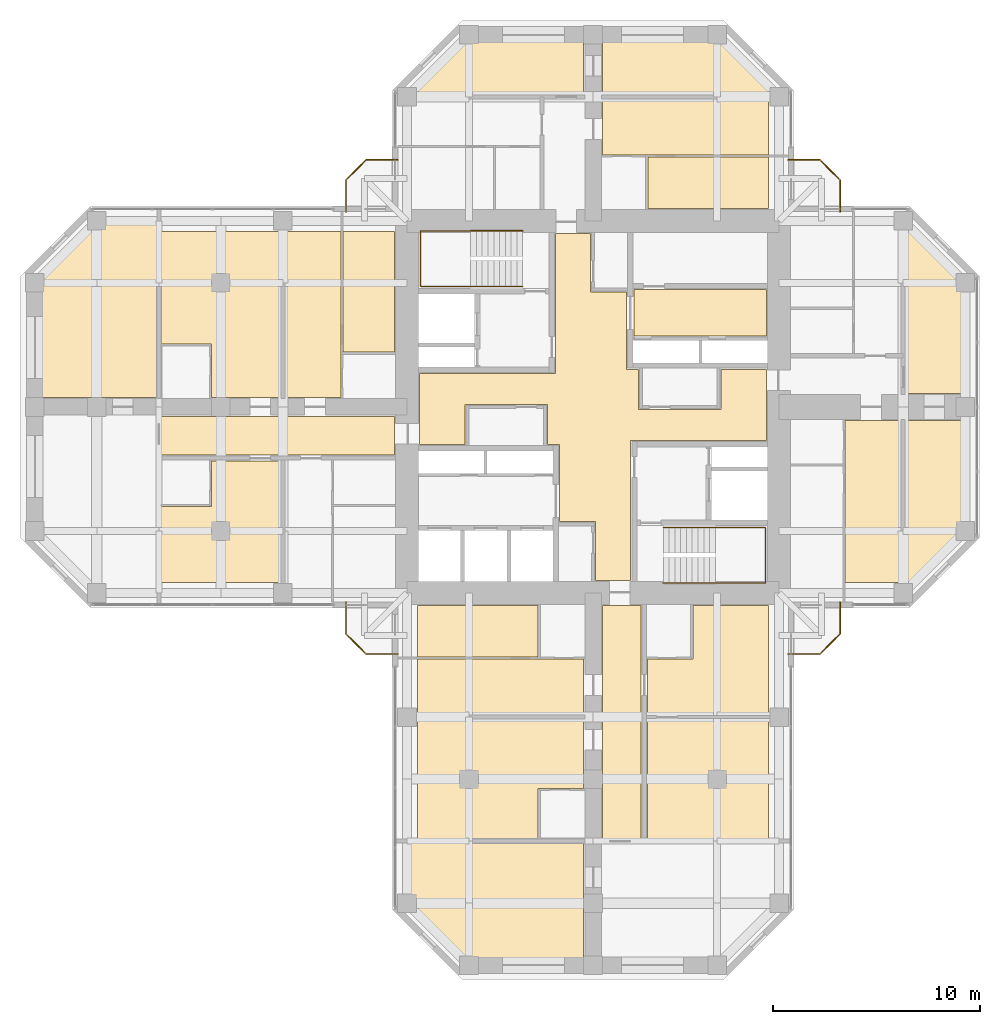
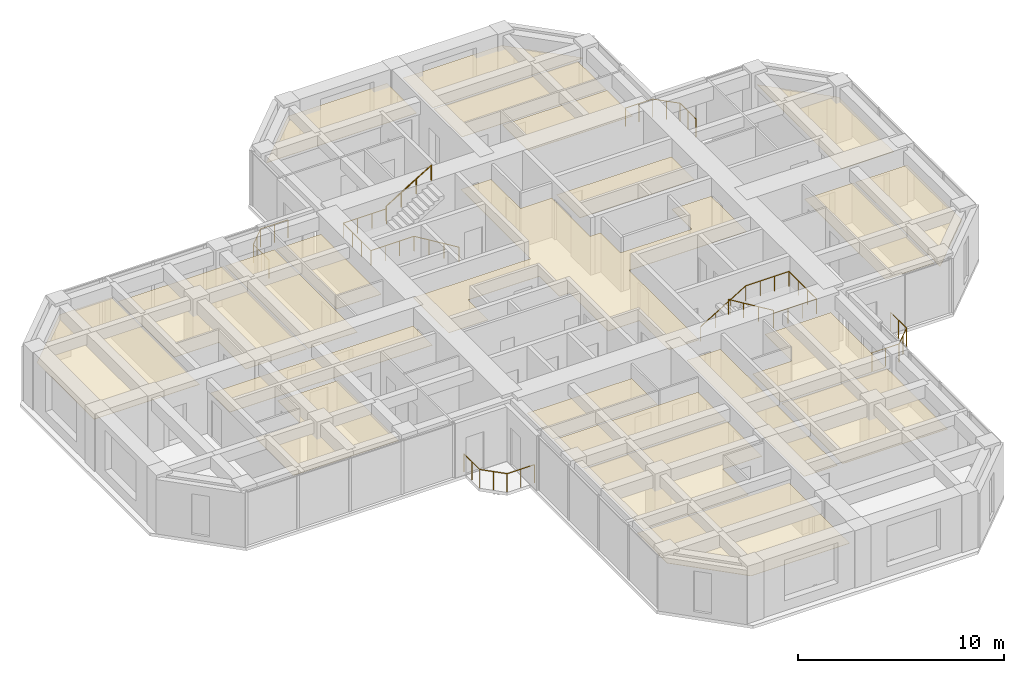
# One storey, part 14 of 14: 22 coverings, 8 railings.
"""IFC4 building model written with IfcOpenShell, lengths in metres."""

from ifc_helpers import new_model, si_unit, direction, frame, origin, origin_2d, place, context, subcontext, project, spatial, polyline, circle, outline, extrude, material, layer, layer_set, constituent, constituent_set, type_object, element, save


model = new_model("IFC4")

# Units and contexts
model_context = context("Model", 3, precision=1e-05, world=origin(), true_north=direction((0.0, 1.0)))
body_context = subcontext(model_context, "Body", "Model", "MODEL_VIEW")
ifc_project = project(units=[si_unit("LENGTHUNIT", "METRE"), si_unit("AREAUNIT", "SQUARE_METRE"), si_unit("VOLUMEUNIT", "CUBIC_METRE"), si_unit("PLANEANGLEUNIT", "RADIAN"), si_unit("MASSUNIT", "GRAM", prefix="KILO")], contexts=[model_context])

# Site, building, storey
site_placement = place(None, origin())
site = spatial("IfcSite", under=ifc_project, at=site_placement, CompositionType="ELEMENT")
building_placement = place(site_placement, origin())
building = spatial("IfcBuilding", under=site, at=building_placement, Name="Torre Cruceta", CompositionType="ELEMENT")
storey_placement = place(building_placement, frame((0.0, 0.0, 183.10009765625)))
storey = spatial("IfcBuildingStorey", under=building, at=storey_placement, Name="L45", CompositionType="ELEMENT", Elevation=183.10009765625)

# Railings
ifc_material_1 = material(Name="Stainless steel 1.4401", Category="steel")
ifc_constituent_1 = constituent(ifc_material_1, Name="Frame")
ifc_material_2 = material(Name="Laminated safety glass", Category="glass")
ifc_constituent_2 = constituent(ifc_material_2, Name="Infill")
ifc_constituent_set = constituent_set(constituents=[ifc_constituent_1, ifc_constituent_2], Name="Stainless steel and laminated glass balustrade")
railing_type_1 = type_object("IfcRailingType", Name="BALCONY BALUSTRADE 1100", PredefinedType="BALUSTRADE", material=ifc_constituent_set)
railing_1_placement = place(storey_placement, frame((-9.449951171875, 11.949951171875, 0.0)))
element("IfcRailing", 1, at=railing_1_placement, inside=storey, type_object=railing_type_1, Name="BL1 balcony balustrade L45 N", PredefinedType="BALUSTRADE", context=body_context, shape_type="SweptSolid", body=[
    extrude(circle(Radius=0.02392578125, at=origin_2d()), frame((0.0, 0.0, 1.076171875), z_axis=(-1.0, 0.0, 0.0), x_axis=(0.0, -1.0, 0.0)), (0.0, 0.0, 1.0), 1.529296875),
    extrude(circle(Radius=0.02392578125, at=origin_2d()), frame((-1.529296875, 0.0, 1.076171875), z_axis=(-0.707106781187, -0.707106781187, 0.0), x_axis=(0.707106781187, -0.707106781187, 0.0)), (0.0, 0.0, 1.0), 1.372802734375),
    extrude(circle(Radius=0.02392578125, at=origin_2d()), frame((-2.5, -0.970703125, 1.076171875), z_axis=(0.0, -1.0, 0.0), x_axis=(1.0, 0.0, 0.0)), (0.0, 0.0, 1.0), 1.529296875),
    extrude(circle(Radius=0.02099609375, at=origin_2d()), origin(), (0.0, 0.0, 1.0), 1.052001953125),
    extrude(circle(Radius=0.02099609375, at=origin_2d()), frame((-0.7646484375, 0.0, 0.0)), (0.0, 0.0, 1.0), 1.052001953125),
    extrude(circle(Radius=0.02099609375, at=origin_2d()), frame((-1.529296875, 0.0, 0.0)), (0.0, 0.0, 1.0), 1.052001953125),
    extrude(circle(Radius=0.02099609375, at=origin_2d()), frame((-2.0146484375, -0.4853515625, 0.0)), (0.0, 0.0, 1.0), 1.052001953125),
    extrude(circle(Radius=0.02099609375, at=origin_2d()), frame((-2.5, -0.970703125, 0.0)), (0.0, 0.0, 1.0), 1.052001953125),
    extrude(circle(Radius=0.02099609375, at=origin_2d()), frame((-2.5, -1.7353515625, 0.0)), (0.0, 0.0, 1.0), 1.052001953125),
    extrude(circle(Radius=0.02099609375, at=origin_2d()), frame((-2.5, -2.5, 0.0)), (0.0, 0.0, 1.0), 1.052001953125),
])
railing_2_placement = place(storey_placement, frame((9.449951171875, 11.949951171875, 0.0)))
element("IfcRailing", 2, at=railing_2_placement, inside=storey, type_object=railing_type_1, Name="BL1 balcony balustrade L45 E", PredefinedType="BALUSTRADE", context=body_context, shape_type="SweptSolid", body=[
    extrude(circle(Radius=0.02392578125, at=origin_2d()), frame((0.0, 0.0, 1.076171875), z_axis=(1.0, 0.0, 0.0), x_axis=(0.0, 1.0, 0.0)), (0.0, 0.0, 1.0), 1.529296875),
    extrude(circle(Radius=0.02392578125, at=origin_2d()), frame((1.529296875, 0.0, 1.076171875), z_axis=(0.707106781187, -0.707106781187, 0.0), x_axis=(0.707106781187, 0.707106781187, 0.0)), (0.0, 0.0, 1.0), 1.372802734375),
    extrude(circle(Radius=0.02392578125, at=origin_2d()), frame((2.5, -0.970703125, 1.076171875), z_axis=(0.0, -1.0, 0.0), x_axis=(1.0, 0.0, 0.0)), (0.0, 0.0, 1.0), 1.529296875),
    extrude(circle(Radius=0.02099609375, at=origin_2d()), origin(), (0.0, 0.0, 1.0), 1.052001953125),
    extrude(circle(Radius=0.02099609375, at=origin_2d()), frame((0.7646484375, 0.0, 0.0)), (0.0, 0.0, 1.0), 1.052001953125),
    extrude(circle(Radius=0.02099609375, at=origin_2d()), frame((1.529296875, 0.0, 0.0)), (0.0, 0.0, 1.0), 1.052001953125),
    extrude(circle(Radius=0.02099609375, at=origin_2d()), frame((2.0146484375, -0.4853515625, 0.0)), (0.0, 0.0, 1.0), 1.052001953125),
    extrude(circle(Radius=0.02099609375, at=origin_2d()), frame((2.5, -0.970703125, 0.0)), (0.0, 0.0, 1.0), 1.052001953125),
    extrude(circle(Radius=0.02099609375, at=origin_2d()), frame((2.5, -1.7353515625, 0.0)), (0.0, 0.0, 1.0), 1.052001953125),
    extrude(circle(Radius=0.02099609375, at=origin_2d()), frame((2.5, -2.5, 0.0)), (0.0, 0.0, 1.0), 1.052001953125),
])
railing_3_placement = place(storey_placement, frame((9.449951171875, -11.949951171875, 0.0)))
element("IfcRailing", 3, at=railing_3_placement, inside=storey, type_object=railing_type_1, Name="BL1 balcony balustrade L45 S", PredefinedType="BALUSTRADE", context=body_context, shape_type="SweptSolid", body=[
    extrude(circle(Radius=0.02392578125, at=origin_2d()), frame((0.0, 0.0, 1.076171875), z_axis=(1.0, 0.0, 0.0), x_axis=(0.0, 1.0, 0.0)), (0.0, 0.0, 1.0), 1.529296875),
    extrude(circle(Radius=0.02392578125, at=origin_2d()), frame((1.529296875, 0.0, 1.076171875), z_axis=(0.707106781187, 0.707106781187, 0.0), x_axis=(-0.707106781187, 0.707106781187, 0.0)), (0.0, 0.0, 1.0), 1.372802734375),
    extrude(circle(Radius=0.02392578125, at=origin_2d()), frame((2.5, 0.970703125, 1.076171875), z_axis=(0.0, 1.0, 0.0), x_axis=(-1.0, 0.0, 0.0)), (0.0, 0.0, 1.0), 1.529296875),
    extrude(circle(Radius=0.02099609375, at=origin_2d()), origin(), (0.0, 0.0, 1.0), 1.052001953125),
    extrude(circle(Radius=0.02099609375, at=origin_2d()), frame((0.7646484375, 0.0, 0.0)), (0.0, 0.0, 1.0), 1.052001953125),
    extrude(circle(Radius=0.02099609375, at=origin_2d()), frame((1.529296875, 0.0, 0.0)), (0.0, 0.0, 1.0), 1.052001953125),
    extrude(circle(Radius=0.02099609375, at=origin_2d()), frame((2.0146484375, 0.4853515625, 0.0)), (0.0, 0.0, 1.0), 1.052001953125),
    extrude(circle(Radius=0.02099609375, at=origin_2d()), frame((2.5, 0.970703125, 0.0)), (0.0, 0.0, 1.0), 1.052001953125),
    extrude(circle(Radius=0.02099609375, at=origin_2d()), frame((2.5, 1.7353515625, 0.0)), (0.0, 0.0, 1.0), 1.052001953125),
    extrude(circle(Radius=0.02099609375, at=origin_2d()), frame((2.5, 2.5, 0.0)), (0.0, 0.0, 1.0), 1.052001953125),
])
railing_4_placement = place(storey_placement, frame((-9.449951171875, -11.949951171875, 0.0)))
element("IfcRailing", 4, at=railing_4_placement, inside=storey, type_object=railing_type_1, Name="BL1 balcony balustrade L45 W", PredefinedType="BALUSTRADE", context=body_context, shape_type="SweptSolid", body=[
    extrude(circle(Radius=0.02392578125, at=origin_2d()), frame((0.0, 0.0, 1.076171875), z_axis=(-1.0, 0.0, 0.0), x_axis=(0.0, -1.0, 0.0)), (0.0, 0.0, 1.0), 1.529296875),
    extrude(circle(Radius=0.02392578125, at=origin_2d()), frame((-1.529296875, 0.0, 1.076171875), z_axis=(-0.707106781187, 0.707106781187, 0.0), x_axis=(-0.707106781187, -0.707106781187, 0.0)), (0.0, 0.0, 1.0), 1.372802734375),
    extrude(circle(Radius=0.02392578125, at=origin_2d()), frame((-2.5, 0.970703125, 1.076171875), z_axis=(0.0, 1.0, 0.0), x_axis=(-1.0, 0.0, 0.0)), (0.0, 0.0, 1.0), 1.529296875),
    extrude(circle(Radius=0.02099609375, at=origin_2d()), origin(), (0.0, 0.0, 1.0), 1.052001953125),
    extrude(circle(Radius=0.02099609375, at=origin_2d()), frame((-0.7646484375, 0.0, 0.0)), (0.0, 0.0, 1.0), 1.052001953125),
    extrude(circle(Radius=0.02099609375, at=origin_2d()), frame((-1.529296875, 0.0, 0.0)), (0.0, 0.0, 1.0), 1.052001953125),
    extrude(circle(Radius=0.02099609375, at=origin_2d()), frame((-2.0146484375, 0.4853515625, 0.0)), (0.0, 0.0, 1.0), 1.052001953125),
    extrude(circle(Radius=0.02099609375, at=origin_2d()), frame((-2.5, 0.970703125, 0.0)), (0.0, 0.0, 1.0), 1.052001953125),
    extrude(circle(Radius=0.02099609375, at=origin_2d()), frame((-2.5, 1.7353515625, 0.0)), (0.0, 0.0, 1.0), 1.052001953125),
    extrude(circle(Radius=0.02099609375, at=origin_2d()), frame((-2.5, 2.5, 0.0)), (0.0, 0.0, 1.0), 1.052001953125),
])
ifc_material_3 = material(Name="Stainless steel 1.4401", Category="steel")
railing_type_2 = type_object("IfcRailingType", Name="HANDRAIL 900", PredefinedType="HANDRAIL", material=ifc_material_3)
railing_5_placement = place(storey_placement, frame((-3.39990234375, 5.8349609375, 0.169921875)))
element("IfcRailing", 5, at=railing_5_placement, inside=storey, type_object=railing_type_2, Name="Handrail HR1 ST1 L45", PredefinedType="HANDRAIL", context=body_context, shape_type="SweptSolid", body=[
    extrude(circle(Radius=0.02392578125, at=origin_2d()), frame((0.0, 0.0, 0.8759765625), z_axis=(-0.85478489116, 0.0, 0.518982456201), x_axis=(0.0, -1.0, 0.0)), (0.0, 0.0, 1.0), 2.9482421875),
    extrude(circle(Radius=0.02392578125, at=origin_2d()), frame((-2.52001953125, 0.0, 2.40576171875), z_axis=(-1.0, 0.0, 0.0), x_axis=(0.0, -1.0, 0.0)), (0.0, 0.0, 1.0), 2.420166015625),
    extrude(circle(Radius=0.02392578125, at=origin_2d()), frame((-4.940185546875, 0.0, 2.40576171875), z_axis=(0.0, 1.0, 0.0), x_axis=(-1.0, 0.0, 0.0)), (0.0, 0.0, 1.0), 2.679931640625),
    extrude(circle(Radius=0.02392578125, at=origin_2d()), frame((-4.940185546875, 2.679931640625, 2.40576171875), z_axis=(1.0, 0.0, 0.0), x_axis=(0.0, 1.0, 0.0)), (0.0, 0.0, 1.0), 2.420166015625),
    extrude(circle(Radius=0.02099609375, at=origin_2d()), origin(), (0.0, 0.0, 1.0), 0.851806640625),
    extrude(circle(Radius=0.02099609375, at=origin_2d()), frame((-0.840087890625, 0.0, 0.510009765625)), (0.0, 0.0, 1.0), 0.851806640625),
    extrude(circle(Radius=0.02099609375, at=origin_2d()), frame((-1.679931640625, 0.0, 1.02001953125)), (0.0, 0.0, 1.0), 0.851806640625),
    extrude(circle(Radius=0.02099609375, at=origin_2d()), frame((-2.52001953125, 0.0, 1.530029296875)), (0.0, 0.0, 1.0), 0.851806640625),
    extrude(circle(Radius=0.02099609375, at=origin_2d()), frame((-3.32666015625, 0.0, 1.530029296875)), (0.0, 0.0, 1.0), 0.851806640625),
    extrude(circle(Radius=0.02099609375, at=origin_2d()), frame((-4.133544921875, 0.0, 1.530029296875)), (0.0, 0.0, 1.0), 0.851806640625),
    extrude(circle(Radius=0.02099609375, at=origin_2d()), frame((-4.940185546875, 0.0, 1.530029296875)), (0.0, 0.0, 1.0), 0.851806640625),
    extrude(circle(Radius=0.02099609375, at=origin_2d()), frame((-4.940185546875, 0.893310546875, 1.530029296875)), (0.0, 0.0, 1.0), 0.851806640625),
    extrude(circle(Radius=0.02099609375, at=origin_2d()), frame((-4.940185546875, 1.78662109375, 1.530029296875)), (0.0, 0.0, 1.0), 0.851806640625),
    extrude(circle(Radius=0.02099609375, at=origin_2d()), frame((-4.940185546875, 2.679931640625, 1.530029296875)), (0.0, 0.0, 1.0), 0.851806640625),
    extrude(circle(Radius=0.02099609375, at=origin_2d()), frame((-4.133544921875, 2.679931640625, 1.530029296875)), (0.0, 0.0, 1.0), 0.851806640625),
    extrude(circle(Radius=0.02099609375, at=origin_2d()), frame((-3.32666015625, 2.679931640625, 1.530029296875)), (0.0, 0.0, 1.0), 0.851806640625),
    extrude(circle(Radius=0.02099609375, at=origin_2d()), frame((-2.52001953125, 2.679931640625, 1.530029296875)), (0.0, 0.0, 1.0), 0.851806640625),
])
railing_6_placement = place(storey_placement, frame((-5.919921875, 8.514892578125, 1.869873046875)))
element("IfcRailing", 6, at=railing_6_placement, inside=storey, type_object=railing_type_2, Name="Handrail HR1 ST1 L45", PredefinedType="HANDRAIL", context=body_context, shape_type="SweptSolid", body=[
    extrude(circle(Radius=0.02392578125, at=origin_2d()), frame((0.0, 0.0, 0.8759765625), z_axis=(0.85478489116, 0.0, 0.518982456201), x_axis=(0.0, 1.0, 0.0)), (0.0, 0.0, 1.0), 2.9482421875),
    extrude(circle(Radius=0.02099609375, at=origin_2d()), origin(), (0.0, 0.0, 1.0), 0.851806640625),
    extrude(circle(Radius=0.02099609375, at=origin_2d()), frame((0.840087890625, 0.0, 0.510009765625)), (0.0, 0.0, 1.0), 0.851806640625),
    extrude(circle(Radius=0.02099609375, at=origin_2d()), frame((1.679931640625, 0.0, 1.02001953125)), (0.0, 0.0, 1.0), 0.851806640625),
    extrude(circle(Radius=0.02099609375, at=origin_2d()), frame((2.52001953125, 0.0, 1.530029296875)), (0.0, 0.0, 1.0), 0.851806640625),
])
railing_7_placement = place(storey_placement, frame((3.39990234375, -5.8349609375, 0.169921875)))
element("IfcRailing", 7, at=railing_7_placement, inside=storey, type_object=railing_type_2, Name="Handrail HR1 ST2 L45", PredefinedType="HANDRAIL", context=body_context, shape_type="SweptSolid", body=[
    extrude(circle(Radius=0.02392578125, at=origin_2d()), frame((0.0, 0.0, 0.8759765625), z_axis=(0.85478489116, 0.0, 0.518982456201), x_axis=(0.0, 1.0, 0.0)), (0.0, 0.0, 1.0), 2.9482421875),
    extrude(circle(Radius=0.02392578125, at=origin_2d()), frame((2.52001953125, 0.0, 2.40576171875), z_axis=(1.0, 0.0, 0.0), x_axis=(0.0, 1.0, 0.0)), (0.0, 0.0, 1.0), 2.420166015625),
    extrude(circle(Radius=0.02392578125, at=origin_2d()), frame((4.940185546875, 0.0, 2.40576171875), z_axis=(0.0, -1.0, 0.0), x_axis=(1.0, 0.0, 0.0)), (0.0, 0.0, 1.0), 2.679931640625),
    extrude(circle(Radius=0.02392578125, at=origin_2d()), frame((4.940185546875, -2.679931640625, 2.40576171875), z_axis=(-1.0, 0.0, 0.0), x_axis=(0.0, -1.0, 0.0)), (0.0, 0.0, 1.0), 2.420166015625),
    extrude(circle(Radius=0.02099609375, at=origin_2d()), origin(), (0.0, 0.0, 1.0), 0.851806640625),
    extrude(circle(Radius=0.02099609375, at=origin_2d()), frame((0.840087890625, 0.0, 0.510009765625)), (0.0, 0.0, 1.0), 0.851806640625),
    extrude(circle(Radius=0.02099609375, at=origin_2d()), frame((1.679931640625, 0.0, 1.02001953125)), (0.0, 0.0, 1.0), 0.851806640625),
    extrude(circle(Radius=0.02099609375, at=origin_2d()), frame((2.52001953125, 0.0, 1.530029296875)), (0.0, 0.0, 1.0), 0.851806640625),
    extrude(circle(Radius=0.02099609375, at=origin_2d()), frame((3.32666015625, 0.0, 1.530029296875)), (0.0, 0.0, 1.0), 0.851806640625),
    extrude(circle(Radius=0.02099609375, at=origin_2d()), frame((4.133544921875, 0.0, 1.530029296875)), (0.0, 0.0, 1.0), 0.851806640625),
    extrude(circle(Radius=0.02099609375, at=origin_2d()), frame((4.940185546875, 0.0, 1.530029296875)), (0.0, 0.0, 1.0), 0.851806640625),
    extrude(circle(Radius=0.02099609375, at=origin_2d()), frame((4.940185546875, -0.893310546875, 1.530029296875)), (0.0, 0.0, 1.0), 0.851806640625),
    extrude(circle(Radius=0.02099609375, at=origin_2d()), frame((4.940185546875, -1.78662109375, 1.530029296875)), (0.0, 0.0, 1.0), 0.851806640625),
    extrude(circle(Radius=0.02099609375, at=origin_2d()), frame((4.940185546875, -2.679931640625, 1.530029296875)), (0.0, 0.0, 1.0), 0.851806640625),
    extrude(circle(Radius=0.02099609375, at=origin_2d()), frame((4.133544921875, -2.679931640625, 1.530029296875)), (0.0, 0.0, 1.0), 0.851806640625),
    extrude(circle(Radius=0.02099609375, at=origin_2d()), frame((3.32666015625, -2.679931640625, 1.530029296875)), (0.0, 0.0, 1.0), 0.851806640625),
    extrude(circle(Radius=0.02099609375, at=origin_2d()), frame((2.52001953125, -2.679931640625, 1.530029296875)), (0.0, 0.0, 1.0), 0.851806640625),
])
railing_8_placement = place(storey_placement, frame((5.919921875, -8.514892578125, 1.869873046875)))
element("IfcRailing", 8, at=railing_8_placement, inside=storey, type_object=railing_type_2, Name="Handrail HR1 ST2 L45", PredefinedType="HANDRAIL", context=body_context, shape_type="SweptSolid", body=[
    extrude(circle(Radius=0.02392578125, at=origin_2d()), frame((0.0, 0.0, 0.8759765625), z_axis=(-0.85478489116, 0.0, 0.518982456201), x_axis=(0.0, -1.0, 0.0)), (0.0, 0.0, 1.0), 2.9482421875),
    extrude(circle(Radius=0.02099609375, at=origin_2d()), origin(), (0.0, 0.0, 1.0), 0.851806640625),
    extrude(circle(Radius=0.02099609375, at=origin_2d()), frame((-0.840087890625, 0.0, 0.510009765625)), (0.0, 0.0, 1.0), 0.851806640625),
    extrude(circle(Radius=0.02099609375, at=origin_2d()), frame((-1.679931640625, 0.0, 1.02001953125)), (0.0, 0.0, 1.0), 0.851806640625),
    extrude(circle(Radius=0.02099609375, at=origin_2d()), frame((-2.52001953125, 0.0, 1.530029296875)), (0.0, 0.0, 1.0), 0.851806640625),
])

# Coverings
ifc_material_4 = material(Name="Mineral fibre ceiling tile", Category="gypsum")
ifc_layer = layer(ifc_material_4, 0.02001953125)
ifc_layer_set = layer_set([ifc_layer], Name="Mineral fibre ceiling tile")
covering_type = type_object("IfcCoveringType", Name="SUSPENDED CEILING 20", PredefinedType="CEILING", material=ifc_layer_set)
covering_1_placement = place(storey_placement, frame((0.0, 0.0, 2.349853515625)))
element("IfcCovering", 9, at=covering_1_placement, inside=storey, type_object=covering_type, Name="Ceiling L45-002", PredefinedType="CEILING", context=body_context, shape_type="SweptSolid", body=[
    extrude(outline(polyline([(1.824951171875, -8.39990234375), (0.125, -8.39990234375), (0.125, -5.550048828125), (-1.625, -5.550048828125), (-1.625, -1.824951171875), (-2.199951171875, -1.824951171875), (-2.199951171875, 0.125), (-6.199951171875, 0.125), (-6.199951171875, -1.824951171875), (-8.39990234375, -1.824951171875), (-8.39990234375, 1.625), (-1.824951171875, 1.625), (-1.824951171875, 8.39990234375), (-0.125, 8.39990234375), (-0.125, 5.550048828125), (1.625, 5.550048828125), (1.625, 1.824951171875), (2.199951171875, 1.824951171875), (2.199951171875, -0.125), (6.199951171875, -0.125), (6.199951171875, 1.824951171875), (8.39990234375, 1.824951171875), (8.39990234375, -1.625), (1.824951171875, -1.625), (1.824951171875, -8.39990234375)])), origin(), (0.0, 0.0, 1.0), 0.02001953125),
])
covering_2_placement = place(storey_placement, frame((0.0, 0.0, 2.349853515625)))
element("IfcCovering", 10, at=covering_2_placement, inside=storey, type_object=covering_type, Name="Ceiling L45-007", PredefinedType="CEILING", context=body_context, shape_type="SweptSolid", body=[
    extrude(outline(polyline([(1.97509765625, 3.425048828125), (1.97509765625, 5.675048828125), (8.39990234375, 5.675048828125), (8.39990234375, 3.425048828125), (1.97509765625, 3.425048828125)])), origin(), (0.0, 0.0, 1.0), 0.02001953125),
])
covering_3_placement = place(storey_placement, frame((0.0, 0.0, 2.349853515625)))
element("IfcCovering", 11, at=covering_3_placement, inside=storey, type_object=covering_type, Name="Ceiling L45-028", PredefinedType="CEILING", context=body_context, shape_type="SweptSolid", body=[
    extrude(outline(polyline([(8.5, 14.949951171875), (8.5, 12.199951171875), (0.449951171875, 12.199951171875), (0.449951171875, 14.949951171875), (8.5, 14.949951171875)])), origin(), (0.0, 0.0, 1.0), 0.02001953125),
])
covering_4_placement = place(storey_placement, frame((0.0, 0.0, 2.349853515625)))
element("IfcCovering", 12, at=covering_4_placement, inside=storey, type_object=covering_type, Name="Ceiling L45-029", PredefinedType="CEILING", context=body_context, shape_type="SweptSolid", body=[
    extrude(outline(polyline([(8.5, 9.60009765625), (2.64990234375, 9.60009765625), (2.64990234375, 12.10009765625), (8.5, 12.10009765625), (8.5, 9.60009765625)])), origin(), (0.0, 0.0, 1.0), 0.02001953125),
])
covering_5_placement = place(storey_placement, frame((0.0, 0.0, 2.349853515625)))
element("IfcCovering", 13, at=covering_5_placement, inside=storey, type_object=covering_type, Name="Ceiling L45-031", PredefinedType="CEILING", context=body_context, shape_type="SweptSolid", body=[
    extrude(outline(polyline([(-5.979248046875, 17.949951171875), (-0.449951171875, 17.949951171875), (-0.449951171875, 15.050048828125), (-8.87939453125, 15.050048828125), (-5.979248046875, 17.949951171875)])), origin(), (0.0, 0.0, 1.0), 0.02001953125),
])
covering_6_placement = place(storey_placement, frame((0.0, 0.0, 2.349853515625)))
element("IfcCovering", 14, at=covering_6_placement, inside=storey, type_object=covering_type, Name="Ceiling L45-032", PredefinedType="CEILING", context=body_context, shape_type="SweptSolid", body=[
    extrude(outline(polyline([(8.87939453125, 15.050048828125), (0.449951171875, 15.050048828125), (0.449951171875, 17.949951171875), (5.979248046875, 17.949951171875), (8.87939453125, 15.050048828125)])), origin(), (0.0, 0.0, 1.0), 0.02001953125),
])
covering_7_placement = place(storey_placement, frame((0.0, 0.0, 2.349853515625)))
element("IfcCovering", 15, at=covering_7_placement, inside=storey, type_object=covering_type, Name="Ceiling L45-037", PredefinedType="CEILING", context=body_context, shape_type="SweptSolid", body=[
    extrude(outline(polyline([(14.949951171875, -8.5), (12.199951171875, -8.5), (12.199951171875, -0.64990234375), (14.949951171875, -0.64990234375), (14.949951171875, -8.5)])), origin(), (0.0, 0.0, 1.0), 0.02001953125),
])
covering_8_placement = place(storey_placement, frame((0.0, 0.0, 2.349853515625)))
element("IfcCovering", 16, at=covering_8_placement, inside=storey, type_object=covering_type, Name="Ceiling L45-040", PredefinedType="CEILING", context=body_context, shape_type="SweptSolid", body=[
    extrude(outline(polyline([(17.949951171875, 5.979248046875), (17.949951171875, 0.64990234375), (15.050048828125, 0.64990234375), (15.050048828125, 8.87939453125), (17.949951171875, 5.979248046875)])), origin(), (0.0, 0.0, 1.0), 0.02001953125),
])
covering_9_placement = place(storey_placement, frame((0.0, 0.0, 2.349853515625)))
element("IfcCovering", 17, at=covering_9_placement, inside=storey, type_object=covering_type, Name="Ceiling L45-041", PredefinedType="CEILING", context=body_context, shape_type="SweptSolid", body=[
    extrude(outline(polyline([(15.050048828125, -8.87939453125), (15.050048828125, -0.64990234375), (17.949951171875, -0.64990234375), (17.949951171875, -5.979248046875), (15.050048828125, -8.87939453125)])), origin(), (0.0, 0.0, 1.0), 0.02001953125),
])
covering_10_placement = place(storey_placement, frame((0.0, 0.0, 2.349853515625)))
element("IfcCovering", 18, at=covering_10_placement, inside=storey, type_object=covering_type, Name="Ceiling L45-042", PredefinedType="CEILING", context=body_context, shape_type="SweptSolid", body=[
    extrude(outline(polyline([(0.449951171875, -9.60009765625), (2.324951171875, -9.60009765625), (2.324951171875, -20.949951171875), (0.449951171875, -20.949951171875), (0.449951171875, -9.60009765625)])), origin(), (0.0, 0.0, 1.0), 0.02001953125),
])
covering_11_placement = place(storey_placement, frame((0.0, 0.0, 2.349853515625)))
element("IfcCovering", 19, at=covering_11_placement, inside=storey, type_object=covering_type, Name="Ceiling L45-043", PredefinedType="CEILING", context=body_context, shape_type="SweptSolid", body=[
    extrude(outline(polyline([(8.5, -9.60009765625), (8.5, -14.949951171875), (2.625, -14.949951171875), (2.625, -12.199951171875), (4.824951171875, -12.199951171875), (4.824951171875, -9.60009765625), (8.5, -9.60009765625)])), origin(), (0.0, 0.0, 1.0), 0.02001953125),
])
covering_12_placement = place(storey_placement, frame((0.0, 0.0, 2.349853515625)))
element("IfcCovering", 20, at=covering_12_placement, inside=storey, type_object=covering_type, Name="Ceiling L45-045", PredefinedType="CEILING", context=body_context, shape_type="SweptSolid", body=[
    extrude(outline(polyline([(2.625, -15.050048828125), (8.5, -15.050048828125), (8.5, -20.949951171875), (2.625, -20.949951171875), (2.625, -15.050048828125)])), origin(), (0.0, 0.0, 1.0), 0.02001953125),
])
covering_13_placement = place(storey_placement, frame((0.0, 0.0, 2.349853515625)))
element("IfcCovering", 21, at=covering_13_placement, inside=storey, type_object=covering_type, Name="Ceiling L45-046", PredefinedType="CEILING", context=body_context, shape_type="SweptSolid", body=[
    extrude(outline(polyline([(-8.5, -14.949951171875), (-8.5, -12.199951171875), (-0.449951171875, -12.199951171875), (-0.449951171875, -14.949951171875), (-8.5, -14.949951171875)])), origin(), (0.0, 0.0, 1.0), 0.02001953125),
])
covering_14_placement = place(storey_placement, frame((0.0, 0.0, 2.349853515625)))
element("IfcCovering", 22, at=covering_14_placement, inside=storey, type_object=covering_type, Name="Ceiling L45-047", PredefinedType="CEILING", context=body_context, shape_type="SweptSolid", body=[
    extrude(outline(polyline([(-8.5, -9.60009765625), (-2.64990234375, -9.60009765625), (-2.64990234375, -12.10009765625), (-8.5, -12.10009765625), (-8.5, -9.60009765625)])), origin(), (0.0, 0.0, 1.0), 0.02001953125),
])
covering_15_placement = place(storey_placement, frame((0.0, 0.0, 2.349853515625)))
element("IfcCovering", 23, at=covering_15_placement, inside=storey, type_object=covering_type, Name="Ceiling L45-049", PredefinedType="CEILING", context=body_context, shape_type="SweptSolid", body=[
    extrude(outline(polyline([(-8.5, -20.949951171875), (-8.5, -15.050048828125), (-0.449951171875, -15.050048828125), (-0.449951171875, -18.449951171875), (-2.64990234375, -18.449951171875), (-2.64990234375, -20.949951171875), (-8.5, -20.949951171875)])), origin(), (0.0, 0.0, 1.0), 0.02001953125),
])
covering_16_placement = place(storey_placement, frame((0.0, 0.0, 2.349853515625)))
element("IfcCovering", 24, at=covering_16_placement, inside=storey, type_object=covering_type, Name="Ceiling L45-052", PredefinedType="CEILING", context=body_context, shape_type="SweptSolid", body=[
    extrude(outline(polyline([(-8.949951171875, -23.979248046875), (-8.949951171875, -21.050048828125), (-0.449951171875, -21.050048828125), (-0.449951171875, -26.949951171875), (-5.979248046875, -26.949951171875), (-8.949951171875, -23.979248046875)])), origin(), (0.0, 0.0, 1.0), 0.02001953125),
])
covering_17_placement = place(storey_placement, frame((0.0, 0.0, 2.349853515625)))
element("IfcCovering", 25, at=covering_17_placement, inside=storey, type_object=covering_type, Name="Ceiling L45-053", PredefinedType="CEILING", context=body_context, shape_type="SweptSolid", body=[
    extrude(outline(polyline([(-9.60009765625, -0.449951171875), (-9.60009765625, -2.324951171875), (-20.949951171875, -2.324951171875), (-20.949951171875, -0.449951171875), (-9.60009765625, -0.449951171875)])), origin(), (0.0, 0.0, 1.0), 0.02001953125),
])
covering_18_placement = place(storey_placement, frame((0.0, 0.0, 2.349853515625)))
element("IfcCovering", 26, at=covering_18_placement, inside=storey, type_object=covering_type, Name="Ceiling L45-057", PredefinedType="CEILING", context=body_context, shape_type="SweptSolid", body=[
    extrude(outline(polyline([(-14.949951171875, 8.5), (-12.199951171875, 8.5), (-12.199951171875, 0.449951171875), (-14.949951171875, 0.449951171875), (-14.949951171875, 8.5)])), origin(), (0.0, 0.0, 1.0), 0.02001953125),
])
covering_19_placement = place(storey_placement, frame((0.0, 0.0, 2.349853515625)))
element("IfcCovering", 27, at=covering_19_placement, inside=storey, type_object=covering_type, Name="Ceiling L45-058", PredefinedType="CEILING", context=body_context, shape_type="SweptSolid", body=[
    extrude(outline(polyline([(-9.60009765625, 8.5), (-9.60009765625, 2.64990234375), (-12.10009765625, 2.64990234375), (-12.10009765625, 8.5), (-9.60009765625, 8.5)])), origin(), (0.0, 0.0, 1.0), 0.02001953125),
])
covering_20_placement = place(storey_placement, frame((0.0, 0.0, 2.349853515625)))
element("IfcCovering", 28, at=covering_20_placement, inside=storey, type_object=covering_type, Name="Ceiling L45-060", PredefinedType="CEILING", context=body_context, shape_type="SweptSolid", body=[
    extrude(outline(polyline([(-15.050048828125, -2.625), (-15.050048828125, -8.5), (-20.949951171875, -8.5), (-20.949951171875, -4.824951171875), (-18.449951171875, -4.824951171875), (-18.449951171875, -2.625), (-15.050048828125, -2.625)])), origin(), (0.0, 0.0, 1.0), 0.02001953125),
])
covering_21_placement = place(storey_placement, frame((0.0, 0.0, 2.349853515625)))
element("IfcCovering", 29, at=covering_21_placement, inside=storey, type_object=covering_type, Name="Ceiling L45-062", PredefinedType="CEILING", context=body_context, shape_type="SweptSolid", body=[
    extrude(outline(polyline([(-20.949951171875, 8.5), (-15.050048828125, 8.5), (-15.050048828125, 0.449951171875), (-18.449951171875, 0.449951171875), (-18.449951171875, 3.050048828125), (-20.949951171875, 3.050048828125), (-20.949951171875, 8.5)])), origin(), (0.0, 0.0, 1.0), 0.02001953125),
])
covering_22_placement = place(storey_placement, frame((0.0, 0.0, 2.349853515625)))
element("IfcCovering", 30, at=covering_22_placement, inside=storey, type_object=covering_type, Name="Ceiling L45-065", PredefinedType="CEILING", context=body_context, shape_type="SweptSolid", body=[
    extrude(outline(polyline([(-23.979248046875, 8.949951171875), (-21.050048828125, 8.949951171875), (-21.050048828125, 0.449951171875), (-26.949951171875, 0.449951171875), (-26.949951171875, 5.979248046875), (-23.979248046875, 8.949951171875)])), origin(), (0.0, 0.0, 1.0), 0.02001953125),
])

save(model, "model.ifc")
